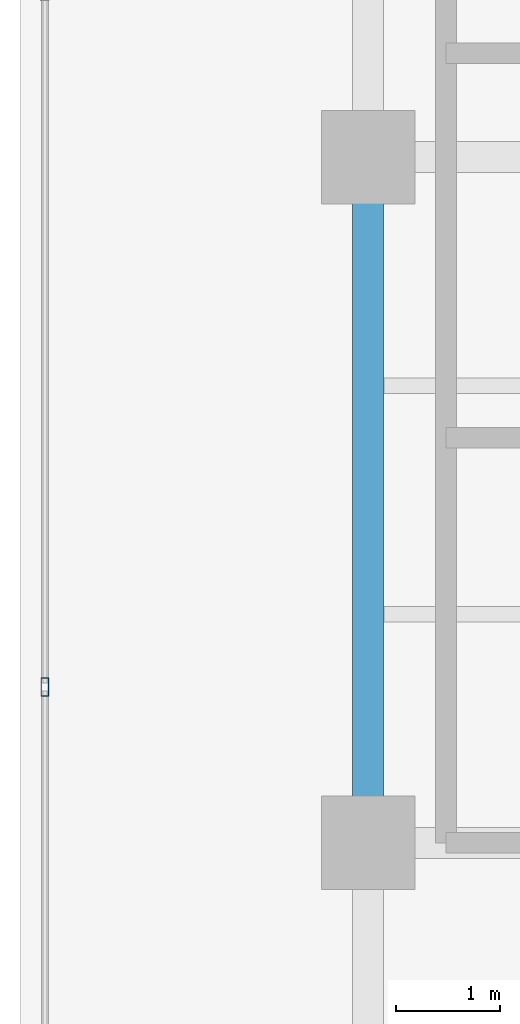
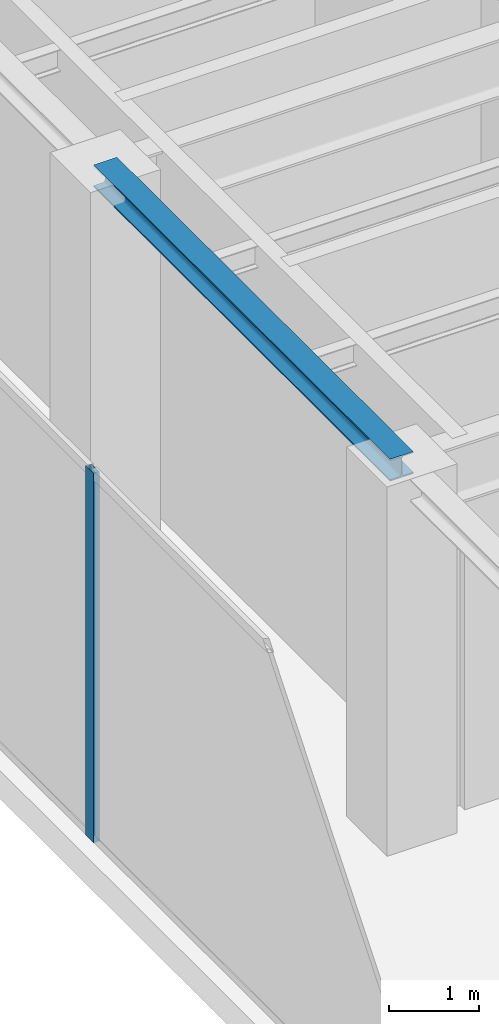
# One storey, part 12 of 29: 1 beam, 1 member, 1 element without a shape of its own.
"""IFC4 building model written with IfcOpenShell, lengths in metres."""

from ifc_helpers import new_model, si_unit, direction, frame, origin, origin_with_axes, origin_2d, place, context, subcontext, project, spatial, hollow_rectangle, i_section, extrude, source, transform, mapped, material, layer, layer_set, material_profile, profile_set, type_object, element, aggregate, save


model = new_model("IFC4")

# Units and contexts
model_context = context("Model", 3, precision=1e-05, world=origin(), true_north=direction((0.0, 1.0)))
body_context = subcontext(model_context, "Body", "Model", "MODEL_VIEW")
ifc_project = project(units=[si_unit("LENGTHUNIT", "METRE"), si_unit("AREAUNIT", "SQUARE_METRE"), si_unit("VOLUMEUNIT", "CUBIC_METRE"), si_unit("PLANEANGLEUNIT", "RADIAN"), si_unit("MASSUNIT", "GRAM", prefix="KILO")], contexts=[model_context])

# Site, building, storey
site_placement = place(None, origin())
site = spatial("IfcSite", under=ifc_project, at=site_placement, CompositionType="ELEMENT")
building_placement = place(site_placement, origin())
building = spatial("IfcBuilding", under=site, at=building_placement, Name="Kolvaren Waterfront Exchange", CompositionType="ELEMENT")
storey_placement = place(building_placement, frame((0.0, 0.0, 338.800048828125)))
storey = spatial("IfcBuildingStorey", under=building, at=storey_placement, Name="L87", CompositionType="ELEMENT", Elevation=338.800048828125)

# Beam
ifc_material_1 = material(Name="Steel S355", Category="steel")
ifc_material_profile_1 = material_profile(ifc_material_1, i_section(OverallWidth=0.300048828125, OverallDepth=0.300048828125, WebThickness=0.010986328125, FlangeThickness=0.01904296875, FilletRadius=0.027099609375, at=origin_2d()), Name="HEB300")
ifc_profile_set_1 = profile_set([ifc_material_profile_1], Name="Steel S355")
beam_type = type_object("IfcBeamType", Name="STR-BM-HEB300", PredefinedType="SPANDREL", material=ifc_profile_set_1)
beam_placement = place(storey_placement, frame((7.449951171875, 31.199951171875, 4.869873046875), z_axis=(0.0, 1.0, 0.0), x_axis=(-1.0, 0.0, 0.0)))
element("IfcBeam", 1, at=beam_placement, inside=storey, type_object=beam_type, Name="L87 north-arm edge beam 2", PredefinedType="SPANDREL", context=body_context, shape_type="SweptSolid", body=[
    extrude(i_section(OverallWidth=0.300048828125, OverallDepth=0.300048828125, WebThickness=0.010986328125, FlangeThickness=0.01904296875, FilletRadius=0.027099609375, at=origin_2d()), origin(), (0.0, 0.0, 1.0), 6.60009765625),
])

# Curtain wall, member
ifc_material_2 = material(Name="Anodised dark bronze spandrel aluminium", Category="aluminium")
ifc_layer = layer(ifc_material_2, 0.219970703125, Name="Anodised dark bronze spandrel aluminium")
ifc_layer_set = layer_set([ifc_layer], Name="Anodised dark bronze spandrel aluminium")
curtain_wall_type = type_object("IfcCurtainWallType", Name="ARC-CW-SYS6", PredefinedType="USERDEFINED", material=ifc_layer_set)
curtain_wall_placement = place(storey_placement, origin())
curtain_wall = element("IfcCurtainWall", 2, at=curtain_wall_placement, inside=storey, type_object=curtain_wall_type, Name="L87 stick curtain wall CW6 (CW-L87-W)", ObjectType="STICK CURTAIN WALL", PredefinedType="USERDEFINED")
ifc_material_3 = material(Name="Anodised bronze aluminium 6063-T6", Category="aluminium")
ifc_material_profile_2 = material_profile(ifc_material_3, hollow_rectangle(XDim=0.074951171875, YDim=0.179931640625, WallThickness=0.00439453125, at=origin_2d()), Name="ALU-MUL-180x75x4.5")
ifc_profile_set_2 = profile_set([ifc_material_profile_2], Name="Anodised bronze aluminium 6063-T6")
member_type = type_object("IfcMemberType", Name="ARC-CWM-180", PredefinedType="MULLION", material=ifc_profile_set_2)
shared_shape = source(origin_with_axes(), body_context, "Body", "SweptSolid", [
    extrude(hollow_rectangle(XDim=0.074951171875, YDim=0.179931640625, WallThickness=0.00439453125, at=origin_2d()), origin(), (0.0, 0.0, 1.0), 5.02001953125),
])
member_placement = place(storey_placement, frame((4.340087890625, 32.699951171875, 0.0), z_axis=(0.0, 0.0, 1.0), x_axis=(-1.0, 0.0, 0.0)))
member = element("IfcMember", 3, at=member_placement, type_object=member_type, Name="CW6 mullion 5", PredefinedType="MULLION", context=body_context, shape_type="MappedRepresentation", body=[
    mapped(shared_shape, transform((0.0, 0.0, 0.0), x_axis=(1.0, 0.0, 0.0), y_axis=(0.0, 1.0, 0.0), z_axis=(0.0, 0.0, 1.0), scale=1.0)),
])
aggregate(curtain_wall, [member])

save(model, "model.ifc")
